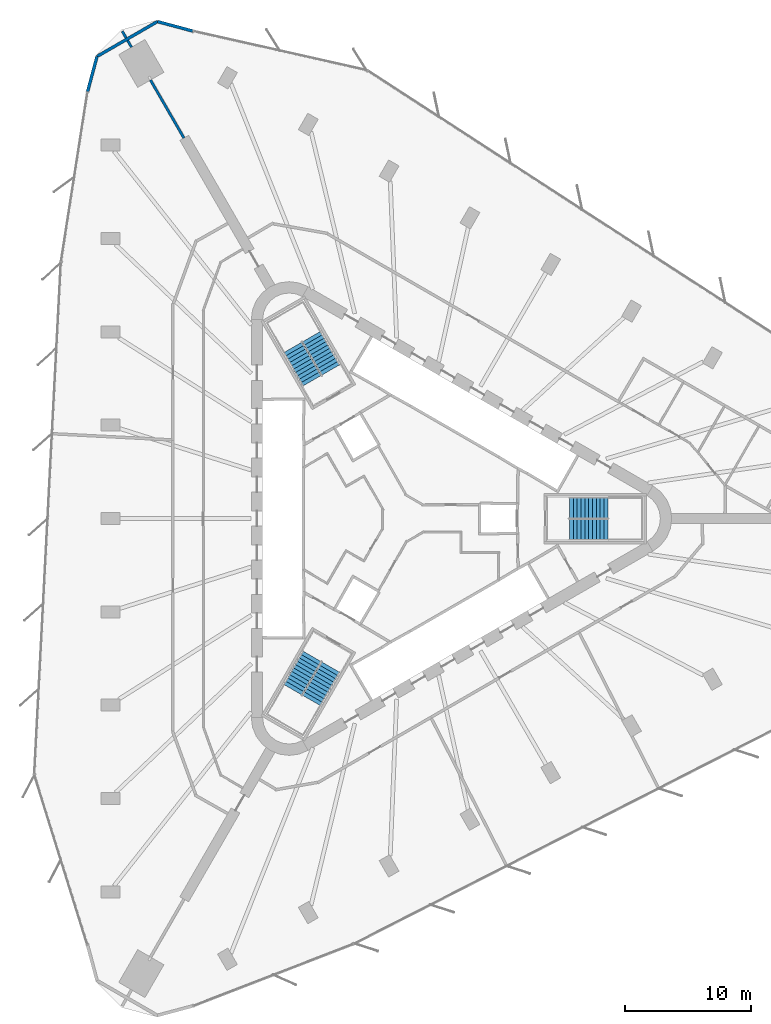
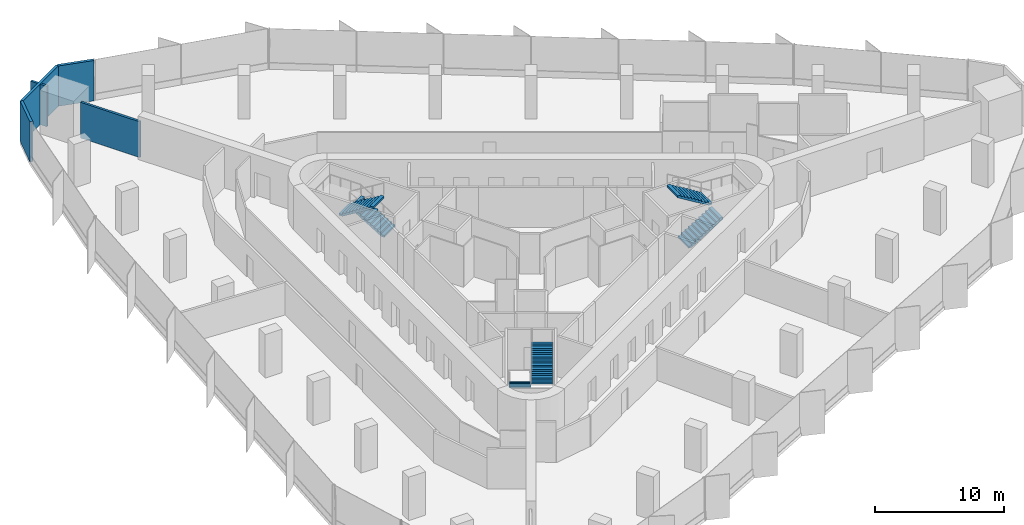
# One storey, part 13 of 14: 6 stair flights, 6 walls, 3 elements without a shape of their own.
"""IFC4 building model written with IfcOpenShell, lengths in metres."""

from ifc_helpers import new_model, si_unit, direction, frame, frame_2d, origin, place, context, subcontext, project, spatial, polyline, rectangle, outline, extrude, material, layer, layer_set, type_object, element, aggregate, save


model = new_model("IFC4")

# Units and contexts
model_context = context("Model", 3, precision=1e-05, world=origin(), true_north=direction((0.0, 1.0)))
body_context = subcontext(model_context, "Body", "Model", "MODEL_VIEW")
ifc_project = project(units=[si_unit("LENGTHUNIT", "METRE"), si_unit("AREAUNIT", "SQUARE_METRE"), si_unit("VOLUMEUNIT", "CUBIC_METRE"), si_unit("PLANEANGLEUNIT", "RADIAN"), si_unit("MASSUNIT", "GRAM", prefix="KILO")], contexts=[model_context])

# Site, building, storey
site_placement = place(None, origin())
site = spatial("IfcSite", under=ifc_project, at=site_placement, CompositionType="ELEMENT")
building_placement = place(site_placement, origin())
building = spatial("IfcBuilding", under=site, at=building_placement, Name="Tanit Gate Tower", CompositionType="ELEMENT")
storey_placement = place(building_placement, frame((0.0, 0.0, 70.10009765625)))
storey = spatial("IfcBuildingStorey", under=building, at=storey_placement, Name="L13", CompositionType="ELEMENT", Elevation=70.10009765625)

# Walls
ifc_material_1 = material(Name="Concrete C30/37 with bronze anodised aluminium cladding", Category="concrete")
ifc_layer_1 = layer(ifc_material_1, 0.239990234375)
ifc_layer_set_1 = layer_set([ifc_layer_1], Name="Facade wall bronze clad 240")
wall_type_1 = type_object("IfcWallType", Name="Facade wall bronze clad 240", PredefinedType="SOLIDWALL", material=ifc_layer_set_1)
wall_1_placement = place(storey_placement, frame((-16.7314453125, 38.608642578125, 0.0), z_axis=(0.0, 0.0, 1.0), x_axis=(-0.965920971701, 0.258837161991, 0.0)))
element("IfcWall", 1, at=wall_1_placement, inside=storey, type_object=wall_type_1, Name="Bronze-clad facade wall L13 NW.arc1", PredefinedType="SOLIDWALL", context=body_context, shape_type="SweptSolid", body=[
    extrude(rectangle(XDim=2.8974609375, YDim=0.239990234375, at=frame_2d((1.44873046875, 0.0))), origin(), (0.0, 0.0, 1.0), 3.7998046875),
])
wall_2_placement = place(storey_placement, frame((-19.5302734375, 39.358642578125, 0.0), z_axis=(0.0, 0.0, 1.0), x_axis=(-0.866017993231, -0.500012835235, 0.0)))
element("IfcWall", 2, at=wall_2_placement, inside=storey, type_object=wall_type_1, Name="Bronze-clad facade wall L13 NW.arc2", PredefinedType="SOLIDWALL", context=body_context, shape_type="SweptSolid", body=[
    extrude(rectangle(XDim=5.531005859375, YDim=0.239990234375, at=frame_2d((2.765625, 0.0))), origin(), (0.0, 0.0, 1.0), 3.7998046875),
])
wall_3_placement = place(storey_placement, frame((-24.3203125, 36.593017578125, 0.0), z_axis=(0.0, 0.0, 1.0), x_axis=(-0.258867040904, -0.965912964575, 0.0)))
element("IfcWall", 3, at=wall_3_placement, inside=storey, type_object=wall_type_1, Name="Bronze-clad facade wall L13 NW.arc3", PredefinedType="SOLIDWALL", context=body_context, shape_type="SweptSolid", body=[
    extrude(rectangle(XDim=2.888671875, YDim=0.239990234375, at=frame_2d((1.4443359375, 0.0))), origin(), (0.0, 0.0, 1.0), 3.7998046875),
])
ifc_material_2 = material(Name="Fire-rated gypsum board partition")
ifc_layer_2 = layer(ifc_material_2, 0.199951171875)
ifc_layer_set_2 = layer_set([ifc_layer_2], Name="INT-WALL-COMPARTMENT")
wall_type_2 = type_object("IfcWallType", Name="INT-WALL-COMPARTMENT", PredefinedType="PARTITIONING", material=ifc_layer_set_2)
wall_4_placement = place(storey_placement, frame((-22.31787109375, 38.595703125, 0.0), z_axis=(0.0, 0.0, 1.0), x_axis=(0.500078582497, -0.865980029404, 0.0)))
element("IfcWall", 4, at=wall_4_placement, inside=storey, type_object=wall_type_2, Name="Wall Compartment W112", PredefinedType="PARTITIONING", context=body_context, shape_type="SweptSolid", body=[
    extrude(rectangle(XDim=0.61328125, YDim=0.199951171875, at=frame_2d((0.306640625, 0.0))), origin(), (0.0, 0.0, 1.0), 3.7998046875),
])
wall_5_placement = place(storey_placement, frame((-21.891357421875, 37.85693359375, 0.0), z_axis=(0.0, 0.0, 1.0), x_axis=(0.49994015576, -0.866059952115, 0.0)))
element("IfcWall", 5, at=wall_5_placement, inside=storey, type_object=wall_type_2, Name="Wall Compartment W112x1", PredefinedType="PARTITIONING", context=body_context, shape_type="SweptSolid", body=[
    extrude(rectangle(XDim=0.61474609375, YDim=0.199951171875, at=frame_2d((0.307373046875, 0.0))), origin(), (0.0, 0.0, 1.0), 3.7998046875),
])
wall_6_placement = place(storey_placement, frame((-20.083984375, 34.7265625, 0.0), z_axis=(0.0, 0.0, 1.0), x_axis=(0.499991120112, -0.86603053053, 0.0)))
element("IfcWall", 6, at=wall_6_placement, inside=storey, type_object=wall_type_2, Name="Wall Compartment W113", PredefinedType="PARTITIONING", context=body_context, shape_type="SweptSolid", body=[
    extrude(rectangle(XDim=5.29638671875, YDim=0.199951171875, at=frame_2d((2.648193359375, 0.0))), origin(), (0.0, 0.0, 1.0), 3.369873046875),
])

# Stair, stair flights
ifc_material_3 = material(Name="Concrete C40/50", Category="concrete")
stair_type = type_object("IfcStairType", Name="INT-STAIR-EXIT", PredefinedType="HALF_TURN_STAIR", material=ifc_material_3)
stair_1_placement = place(storey_placement, origin())
stair_1 = element("IfcStair", 7, at=stair_1_placement, inside=storey, type_object=stair_type, Name="L13 STAIR S1", PredefinedType="HALF_TURN_STAIR")
ifc_material_4 = material(Name="Concrete C40/50", Category="concrete")
stair_flight_type = type_object("IfcStairFlightType", Name="INT-STAIR-FLIGHT", PredefinedType="STRAIGHT", material=ifc_material_4)
stair_flight_1_placement = place(storey_placement, frame((13.094970703125, -0.8525390625, 0.0), z_axis=(0.0, 0.0, 1.0), x_axis=(1.0, 0.0, 0.0)))
stair_flight_1 = element("IfcStairFlight", 8, at=stair_flight_1_placement, type_object=stair_flight_type, Name="S1 flight 1", NumberOfRisers=11, NumberOfTreads=10, PredefinedType="STRAIGHT", RiserHeight=0.186363636, TreadLength=0.3051, context=body_context, shape_type="SweptSolid", body=[
    extrude(outline(polyline([(0.0, 0.0), (0.0, 0.186279296875), (0.30517578125, 0.186279296875), (0.30517578125, 0.372802734375), (0.610107421875, 0.372802734375), (0.610107421875, 0.55908203125), (0.915283203125, 0.55908203125), (0.915283203125, 0.745361328125), (1.220458984375, 0.745361328125), (1.220458984375, 0.931884765625), (1.525390625, 0.931884765625), (1.525390625, 1.1181640625), (1.83056640625, 1.1181640625), (1.83056640625, 1.304443359375), (2.1357421875, 1.304443359375), (2.1357421875, 1.490966796875), (2.44091796875, 1.490966796875), (2.44091796875, 1.67724609375), (2.745849609375, 1.67724609375), (2.745849609375, 1.863525390625), (3.051025390625, 1.863525390625), (3.051025390625, 2.050048828125), (3.051025390625, 1.68798828125), (0.28759765625, 0.0), (0.0, 0.0)])), frame((0.0, 0.84765625, 0.0), z_axis=(0.0, -1.0, 0.0), x_axis=(1.0, 0.0, 0.0)), (0.0, 0.0, 1.0), 1.695068359375),
])
stair_flight_2_placement = place(storey_placement, frame((16.14599609375, 0.8525390625, 2.0498046875), z_axis=(0.0, 0.0, 1.0), x_axis=(-1.0, 0.0, 0.0)))
stair_flight_2 = element("IfcStairFlight", 9, at=stair_flight_2_placement, type_object=stair_flight_type, Name="S1 flight 2", NumberOfRisers=11, NumberOfTreads=10, PredefinedType="STRAIGHT", RiserHeight=0.186363636, TreadLength=0.3051, context=body_context, shape_type="SweptSolid", body=[
    extrude(outline(polyline([(0.0, 0.0), (0.0, 0.186279296875), (0.30517578125, 0.186279296875), (0.30517578125, 0.372802734375), (0.610107421875, 0.372802734375), (0.610107421875, 0.55908203125), (0.915283203125, 0.55908203125), (0.915283203125, 0.745361328125), (1.220458984375, 0.745361328125), (1.220458984375, 0.931884765625), (1.525390625, 0.931884765625), (1.525390625, 1.1181640625), (1.83056640625, 1.1181640625), (1.83056640625, 1.304443359375), (2.1357421875, 1.304443359375), (2.1357421875, 1.490966796875), (2.44091796875, 1.490966796875), (2.44091796875, 1.67724609375), (2.745849609375, 1.67724609375), (2.745849609375, 1.863525390625), (3.051025390625, 1.863525390625), (3.051025390625, 2.050048828125), (3.051025390625, 1.68798828125), (0.28759765625, 0.0), (0.0, 0.0)])), frame((0.0, 0.84765625, 0.0), z_axis=(0.0, -1.0, 0.0), x_axis=(1.0, 0.0, 0.0)), (0.0, 0.0, 1.0), 1.695068359375),
])
aggregate(stair_1, [stair_flight_1, stair_flight_2])

stair_2_placement = place(storey_placement, origin())
stair_2 = element("IfcStair", 10, at=stair_2_placement, inside=storey, type_object=stair_type, Name="L13 STAIR S2", PredefinedType="HALF_TURN_STAIR")
stair_flight_3_placement = place(storey_placement, frame((-5.808349609375, 11.766357421875, 0.0), z_axis=(0.0, 0.0, 1.0), x_axis=(-0.5, 0.866025403784, 0.0)))
stair_flight_3 = element("IfcStairFlight", 11, at=stair_flight_3_placement, type_object=stair_flight_type, Name="S2 flight 1", NumberOfRisers=11, NumberOfTreads=10, PredefinedType="STRAIGHT", RiserHeight=0.186363636, TreadLength=0.30492, context=body_context, shape_type="SweptSolid", body=[
    extrude(outline(polyline([(0.0, 0.0), (0.0, 0.186279296875), (0.304931640625, 0.186279296875), (0.304931640625, 0.372802734375), (0.60986328125, 0.372802734375), (0.60986328125, 0.55908203125), (0.914794921875, 0.55908203125), (0.914794921875, 0.745361328125), (1.2197265625, 0.745361328125), (1.2197265625, 0.931884765625), (1.524658203125, 0.931884765625), (1.524658203125, 1.1181640625), (1.82958984375, 1.1181640625), (1.82958984375, 1.304443359375), (2.134521484375, 1.304443359375), (2.134521484375, 1.490966796875), (2.439453125, 1.490966796875), (2.439453125, 1.67724609375), (2.744384765625, 1.67724609375), (2.744384765625, 1.863525390625), (3.04931640625, 1.863525390625), (3.04931640625, 2.050048828125), (3.04931640625, 1.68798828125), (0.287353515625, 0.0), (0.0, 0.0)])), frame((0.0, 0.84716796875, 0.0), z_axis=(0.0, -1.0, 0.0), x_axis=(1.0, 0.0, 0.0)), (0.0, 0.0, 1.0), 1.694091796875),
])
stair_flight_4_placement = place(storey_placement, frame((-8.810302734375, 13.553955078125, 2.0498046875), z_axis=(0.0, 0.0, 1.0), x_axis=(0.5, -0.866025403784, 0.0)))
stair_flight_4 = element("IfcStairFlight", 12, at=stair_flight_4_placement, type_object=stair_flight_type, Name="S2 flight 2", NumberOfRisers=11, NumberOfTreads=10, PredefinedType="STRAIGHT", RiserHeight=0.186363636, TreadLength=0.30492, context=body_context, shape_type="SweptSolid", body=[
    extrude(outline(polyline([(0.0, 0.0), (0.0, 0.186279296875), (0.304931640625, 0.186279296875), (0.304931640625, 0.372802734375), (0.60986328125, 0.372802734375), (0.60986328125, 0.55908203125), (0.914794921875, 0.55908203125), (0.914794921875, 0.745361328125), (1.2197265625, 0.745361328125), (1.2197265625, 0.931884765625), (1.524658203125, 0.931884765625), (1.524658203125, 1.1181640625), (1.82958984375, 1.1181640625), (1.82958984375, 1.304443359375), (2.134521484375, 1.304443359375), (2.134521484375, 1.490966796875), (2.439453125, 1.490966796875), (2.439453125, 1.67724609375), (2.744384765625, 1.67724609375), (2.744384765625, 1.863525390625), (3.04931640625, 1.863525390625), (3.04931640625, 2.050048828125), (3.04931640625, 1.68798828125), (0.287353515625, 0.0), (0.0, 0.0)])), frame((0.0, 0.84716796875, 0.0), z_axis=(0.0, -1.0, 0.0), x_axis=(1.0, 0.0, 0.0)), (0.0, 0.0, 1.0), 1.694091796875),
])
aggregate(stair_2, [stair_flight_3, stair_flight_4])

stair_3_placement = place(storey_placement, origin())
stair_3 = element("IfcStair", 13, at=stair_3_placement, inside=storey, type_object=stair_type, Name="L13 STAIR S3", PredefinedType="HALF_TURN_STAIR")
stair_flight_5_placement = place(storey_placement, frame((-7.285888671875, -10.914306640625, 0.0), z_axis=(0.0, 0.0, 1.0), x_axis=(-0.5, -0.866025403784, 0.0)))
stair_flight_5 = element("IfcStairFlight", 14, at=stair_flight_5_placement, type_object=stair_flight_type, Name="S3 flight 1", NumberOfRisers=11, NumberOfTreads=10, PredefinedType="STRAIGHT", RiserHeight=0.186363636, TreadLength=0.3051, context=body_context, shape_type="SweptSolid", body=[
    extrude(outline(polyline([(0.0, 0.0), (0.0, 0.186279296875), (0.30517578125, 0.186279296875), (0.30517578125, 0.372802734375), (0.610107421875, 0.372802734375), (0.610107421875, 0.55908203125), (0.915283203125, 0.55908203125), (0.915283203125, 0.745361328125), (1.220458984375, 0.745361328125), (1.220458984375, 0.931884765625), (1.525390625, 0.931884765625), (1.525390625, 1.1181640625), (1.83056640625, 1.1181640625), (1.83056640625, 1.304443359375), (2.1357421875, 1.304443359375), (2.1357421875, 1.490966796875), (2.44091796875, 1.490966796875), (2.44091796875, 1.67724609375), (2.745849609375, 1.67724609375), (2.745849609375, 1.863525390625), (3.051025390625, 1.863525390625), (3.051025390625, 2.050048828125), (3.051025390625, 1.68798828125), (0.28759765625, 0.0), (0.0, 0.0)])), frame((0.0, 0.84765625, 0.0), z_axis=(0.0, -1.0, 0.0), x_axis=(1.0, 0.0, 0.0)), (0.0, 0.0, 1.0), 1.695068359375),
])
stair_flight_6_placement = place(storey_placement, frame((-7.334716796875, -14.4091796875, 2.0498046875), z_axis=(0.0, 0.0, 1.0), x_axis=(0.5, 0.866025403784, 0.0)))
stair_flight_6 = element("IfcStairFlight", 15, at=stair_flight_6_placement, type_object=stair_flight_type, Name="S3 flight 2", NumberOfRisers=11, NumberOfTreads=10, PredefinedType="STRAIGHT", RiserHeight=0.186363636, TreadLength=0.3051, context=body_context, shape_type="SweptSolid", body=[
    extrude(outline(polyline([(0.0, 0.0), (0.0, 0.186279296875), (0.30517578125, 0.186279296875), (0.30517578125, 0.372802734375), (0.610107421875, 0.372802734375), (0.610107421875, 0.55908203125), (0.915283203125, 0.55908203125), (0.915283203125, 0.745361328125), (1.220458984375, 0.745361328125), (1.220458984375, 0.931884765625), (1.525390625, 0.931884765625), (1.525390625, 1.1181640625), (1.83056640625, 1.1181640625), (1.83056640625, 1.304443359375), (2.1357421875, 1.304443359375), (2.1357421875, 1.490966796875), (2.44091796875, 1.490966796875), (2.44091796875, 1.67724609375), (2.745849609375, 1.67724609375), (2.745849609375, 1.863525390625), (3.051025390625, 1.863525390625), (3.051025390625, 2.050048828125), (3.051025390625, 1.68798828125), (0.28759765625, 0.0), (0.0, 0.0)])), frame((0.0, 0.84765625, 0.0), z_axis=(0.0, -1.0, 0.0), x_axis=(1.0, 0.0, 0.0)), (0.0, 0.0, 1.0), 1.695068359375),
])
aggregate(stair_3, [stair_flight_5, stair_flight_6])

save(model, "model.ifc")
